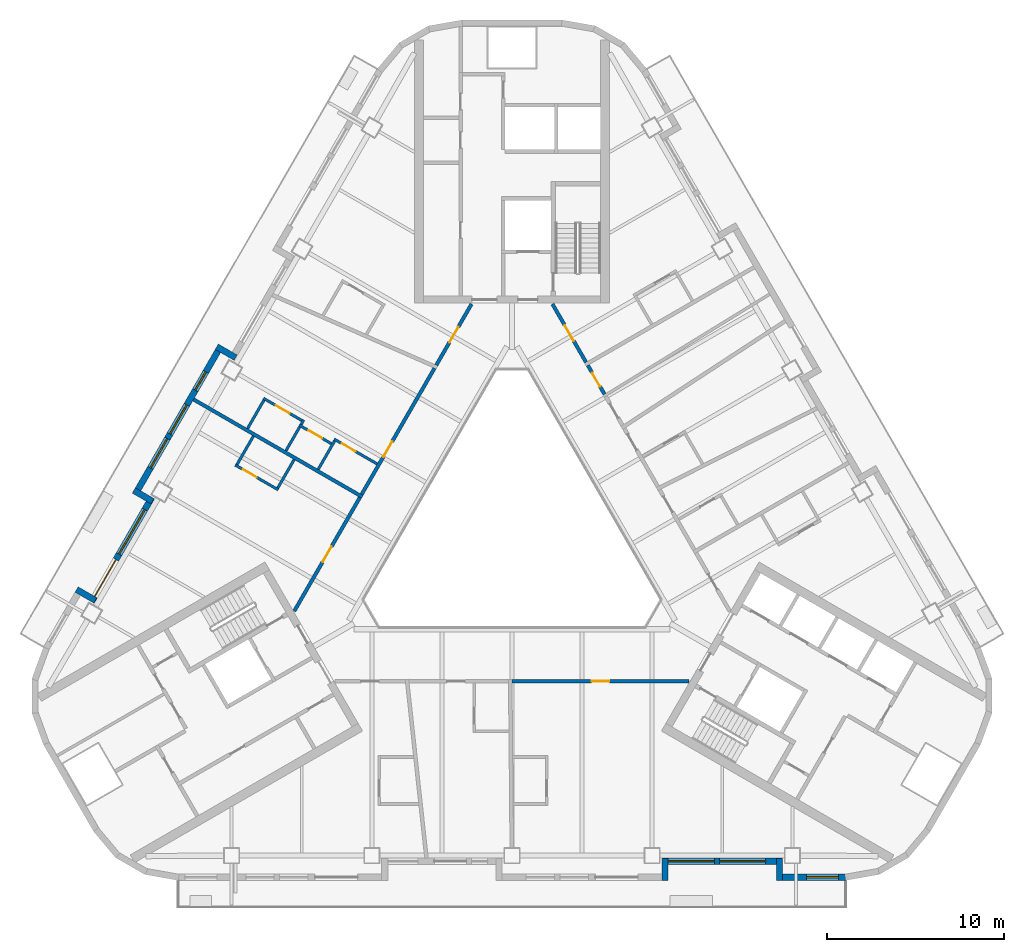
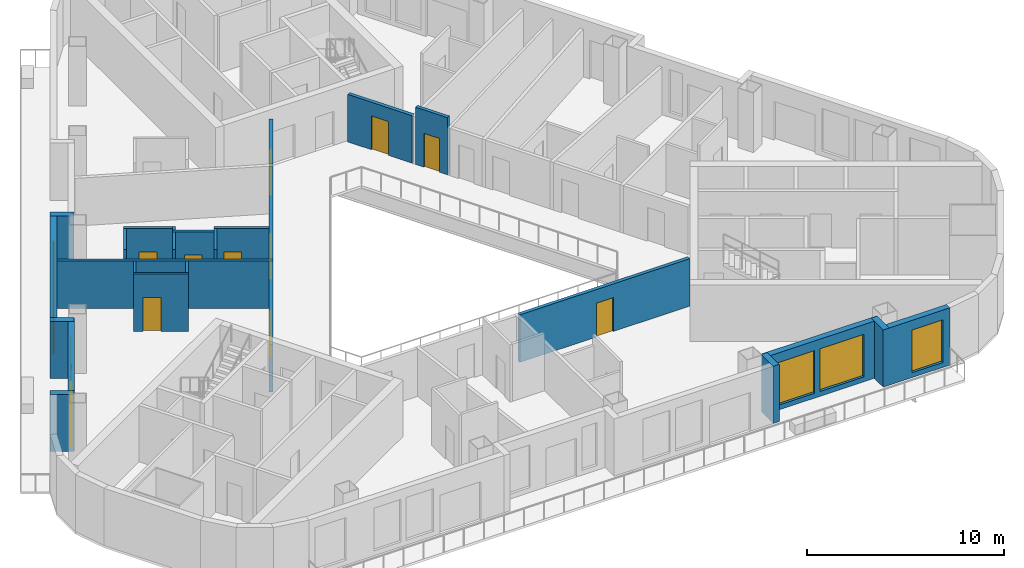
# One storey, part 4 of 14: 26 walls, 11 doors, 7 windows, 18 openings.
"""IFC4 building model written with IfcOpenShell, lengths in metres."""

from ifc_helpers import new_model, si_unit, direction, frame, frame_2d, origin, place, context, subcontext, project, spatial, rectangle, extrude, material, layer, layer_set, type_object, element, fill, save


model = new_model("IFC4")

# Units and contexts
model_context = context("Model", 3, precision=1e-05, world=origin(), true_north=direction((0.0, 1.0)))
body_context = subcontext(model_context, "Body", "Model", "MODEL_VIEW")
ifc_project = project(units=[si_unit("LENGTHUNIT", "METRE"), si_unit("AREAUNIT", "SQUARE_METRE"), si_unit("VOLUMEUNIT", "CUBIC_METRE"), si_unit("PLANEANGLEUNIT", "RADIAN"), si_unit("MASSUNIT", "GRAM", prefix="KILO")], contexts=[model_context])

# Site, building, storey
site_placement = place(None, origin())
site = spatial("IfcSite", under=ifc_project, at=site_placement, CompositionType="ELEMENT")
building_placement = place(site_placement, origin())
building = spatial("IfcBuilding", under=site, at=building_placement, Name="Apuvela Tower Hotel", CompositionType="ELEMENT")
storey_placement = place(building_placement, frame((0.0, 0.0, 116.800048828125)))
storey = spatial("IfcBuildingStorey", under=building, at=storey_placement, Name="L27", CompositionType="ELEMENT", Elevation=116.800048828125)

# Wall
ifc_material_1 = material(Name="Concrete C40/50, dark pigmented precast panel", Category="concrete")
ifc_layer_1 = layer(ifc_material_1, 0.35009765625)
ifc_layer_set_1 = layer_set([ifc_layer_1], Name="ENV-WALL-350")
wall_type_1 = type_object("IfcWallType", Name="ENV-WALL-350", PredefinedType="SOLIDWALL", material=ifc_layer_set_1)
wall_1_placement = place(storey_placement, frame((-15.580810546875, 9.8330078125, 0.0), z_axis=(0.0, 0.0, 1.0), x_axis=(-0.866055662726, 0.499947586314, 0.0)))
element("IfcWall", 1, at=wall_1_placement, inside=storey, type_object=wall_type_1, Name="External wall L27-04", PredefinedType="SOLIDWALL", context=body_context, shape_type="SweptSolid", body=[
    extrude(rectangle(XDim=1.220458984375, YDim=0.35009765625, at=frame_2d((0.6103515625, 0.0))), origin(), (0.0, 0.0, 1.0), 3.550048828125),
])

# Wall, openings, windows
wall_2_placement = place(storey_placement, frame((-16.3984375, 10.507080078125, 0.0), z_axis=(0.0, 0.0, 1.0), x_axis=(-0.499999142773, -0.866025898704, 0.0)))
wall_2 = element("IfcWall", 2, at=wall_2_placement, inside=storey, type_object=wall_type_1, Name="External wall L27-05", PredefinedType="SOLIDWALL", context=body_context, shape_type="SweptSolid", body=[
    extrude(rectangle(XDim=9.7001953125, YDim=0.35009765625, at=frame_2d((4.85009765625, 0.0))), origin(), (0.0, 0.0, 1.0), 3.550048828125),
])
opening_1_placement = place(wall_2_placement, frame((1.7001953125, 0.0, 0.300048828125)))
opening_1 = element("IfcOpeningElement", 3, at=opening_1_placement, cuts=wall_2, Name="Opening WN12", PredefinedType="OPENING", context=body_context, shape_type="SweptSolid", body=[
    extrude(rectangle(XDim=1.199951171875, YDim=2.64990234375, at=frame_2d((0.60009765625, 1.324951171875))), frame((0.0, 0.18505859375, 0.0), z_axis=(0.0, -1.0, 0.0), x_axis=(1.0, 0.0, 0.0)), (0.0, 0.0, 1.0), 0.3701171875),
])
opening_2_placement = place(wall_2_placement, frame((3.849853515625, 0.0, 0.300048828125)))
opening_2 = element("IfcOpeningElement", 4, at=opening_2_placement, cuts=wall_2, Name="Opening WN19", PredefinedType="OPENING", context=body_context, shape_type="SweptSolid", body=[
    extrude(rectangle(XDim=1.89990234375, YDim=2.64990234375, at=frame_2d((0.949951171875, 1.324951171875))), frame((0.0, 0.18505859375, 0.0), z_axis=(0.0, -1.0, 0.0), x_axis=(1.0, 0.0, 0.0)), (0.0, 0.0, 1.0), 0.3701171875),
])
opening_3_placement = place(wall_2_placement, frame((6.0498046875, 0.0, 0.300048828125)))
opening_3 = element("IfcOpeningElement", 5, at=opening_3_placement, cuts=wall_2, Name="Opening WN19", PredefinedType="OPENING", context=body_context, shape_type="SweptSolid", body=[
    extrude(rectangle(XDim=1.89990234375, YDim=2.64990234375, at=frame_2d((0.949951171875, 1.324951171875))), frame((0.0, 0.18505859375, 0.0), z_axis=(0.0, -1.0, 0.0), x_axis=(1.0, 0.0, 0.0)), (0.0, 0.0, 1.0), 0.3701171875),
])
ifc_material_2 = material(Name="Glass, dark tinted laminated insulated glazing unit", Category="glass")
window_type_1 = type_object("IfcWindowType", Name="ENV-WIN-1200x2650", PartitioningType="SINGLE_PANEL", PredefinedType="WINDOW", material=ifc_material_2)
window_1_placement = place(opening_1_placement, origin())
window_1 = element("IfcWindow", 6, at=window_1_placement, inside=storey, type_object=window_type_1, Name="Window WN12", OverallHeight=2.64990234375, OverallWidth=1.199951171875, PartitioningType="SINGLE_PANEL", PredefinedType="WINDOW", context=body_context, shape_type="SweptSolid", body=[
    extrude(rectangle(XDim=1.199951171875, YDim=2.64990234375, at=frame_2d((0.60009765625, 1.324951171875))), frame((0.0, 0.030029296875, 0.0), z_axis=(0.0, -1.0, 0.0), x_axis=(1.0, 0.0, 0.0)), (0.0, 0.0, 1.0), 0.06005859375),
])
fill(opening_1, window_1)
window_type_2 = type_object("IfcWindowType", Name="ENV-WIN-1900x2650", PartitioningType="SINGLE_PANEL", PredefinedType="WINDOW", material=ifc_material_2)
window_2_placement = place(opening_2_placement, origin())
window_2 = element("IfcWindow", 7, at=window_2_placement, inside=storey, type_object=window_type_2, Name="Window WN19", OverallHeight=2.64990234375, OverallWidth=1.89990234375, PartitioningType="SINGLE_PANEL", PredefinedType="WINDOW", context=body_context, shape_type="SweptSolid", body=[
    extrude(rectangle(XDim=1.89990234375, YDim=2.64990234375, at=frame_2d((0.949951171875, 1.324951171875))), frame((0.0, 0.030029296875, 0.0), z_axis=(0.0, -1.0, 0.0), x_axis=(1.0, 0.0, 0.0)), (0.0, 0.0, 1.0), 0.06005859375),
])
fill(opening_2, window_2)
window_3_placement = place(opening_3_placement, origin())
window_3 = element("IfcWindow", 8, at=window_3_placement, inside=storey, type_object=window_type_2, Name="Window WN19", OverallHeight=2.64990234375, OverallWidth=1.89990234375, PartitioningType="SINGLE_PANEL", PredefinedType="WINDOW", context=body_context, shape_type="SweptSolid", body=[
    extrude(rectangle(XDim=1.89990234375, YDim=2.64990234375, at=frame_2d((0.949951171875, 1.324951171875))), frame((0.0, 0.030029296875, 0.0), z_axis=(0.0, -1.0, 0.0), x_axis=(1.0, 0.0, 0.0)), (0.0, 0.0, 1.0), 0.06005859375),
])
fill(opening_3, window_3)

# Wall
wall_3_placement = place(storey_placement, frame((-21.3125, 2.345703125, 0.0), z_axis=(0.0, 0.0, 1.0), x_axis=(0.866005645448, -0.500034220881, 0.0)))
element("IfcWall", 9, at=wall_3_placement, inside=storey, type_object=wall_type_1, Name="External wall L27-06", PredefinedType="SOLIDWALL", context=body_context, shape_type="SweptSolid", body=[
    extrude(rectangle(XDim=1.22021484375, YDim=0.35009765625, at=frame_2d((0.610107421875, 0.0))), origin(), (0.0, 0.0, 1.0), 3.550048828125),
])

# Wall, openings, door, window
wall_4_placement = place(storey_placement, frame((-20.30908203125, 1.93359375, 0.0), z_axis=(0.0, 0.0, 1.0), x_axis=(-0.499992114976, -0.866029956157, 0.0)))
wall_4 = element("IfcWall", 10, at=wall_4_placement, inside=storey, type_object=wall_type_1, Name="External wall L27-07", PredefinedType="SOLIDWALL", context=body_context, shape_type="SweptSolid", body=[
    extrude(rectangle(XDim=6.73974609375, YDim=0.35009765625, at=frame_2d((3.369873046875, 0.0))), origin(), (0.0, 0.0, 1.0), 3.550048828125),
])
opening_4_placement = place(wall_4_placement, frame((4.02001953125, 0.0, 0.0)))
opening_4 = element("IfcOpeningElement", 11, at=opening_4_placement, cuts=wall_4, Name="Opening BD24", PredefinedType="OPENING", context=body_context, shape_type="SweptSolid", body=[
    extrude(rectangle(XDim=2.39990234375, YDim=2.39990234375, at=frame_2d((1.199951171875, 1.199951171875))), frame((0.0, 0.18505859375, 0.0), z_axis=(0.0, -1.0, 0.0), x_axis=(1.0, 0.0, 0.0)), (0.0, 0.0, 1.0), 0.3701171875),
])
opening_5_placement = place(wall_4_placement, frame((0.77001953125, 0.0, 0.300048828125)))
opening_5 = element("IfcOpeningElement", 12, at=opening_5_placement, cuts=wall_4, Name="Opening WN29", PredefinedType="OPENING", context=body_context, shape_type="SweptSolid", body=[
    extrude(rectangle(XDim=2.89990234375, YDim=2.64990234375, at=frame_2d((1.449951171875, 1.324951171875))), frame((0.0, 0.18505859375, 0.0), z_axis=(0.0, -1.0, 0.0), x_axis=(1.0, 0.0, 0.0)), (0.0, 0.0, 1.0), 0.3701171875),
])
ifc_material_3 = material(Name="Aluminium 6063-T6, dark bronze anodised frame with dark tinted laminated glass", Category="aluminium")
door_type_1 = type_object("IfcDoorType", Name="ENV-DOOR-BALCONY-2400x2400", OperationType="SLIDING_TO_LEFT", PredefinedType="DOOR", material=ifc_material_3)
door_1_placement = place(opening_4_placement, frame((2.39990234375, 0.0, 0.0), z_axis=(0.0, 0.0, 1.0), x_axis=(-1.0, 0.0, 0.0)))
door_1 = element("IfcDoor", 13, at=door_1_placement, inside=storey, type_object=door_type_1, Name="Balcony door BD24", OperationType="SLIDING_TO_LEFT", OverallHeight=2.39990234375, OverallWidth=2.39990234375, PredefinedType="DOOR", context=body_context, shape_type="SweptSolid", body=[
    extrude(rectangle(XDim=2.39990234375, YDim=2.39990234375, at=frame_2d((1.199951171875, 1.199951171875))), frame((0.0, 0.02490234375, 0.0), z_axis=(0.0, -1.0, 0.0), x_axis=(1.0, 0.0, 0.0)), (0.0, 0.0, 1.0), 0.050048828125),
])
fill(opening_4, door_1)
window_type_3 = type_object("IfcWindowType", Name="ENV-WIN-2900x2650", PartitioningType="SINGLE_PANEL", PredefinedType="WINDOW", material=ifc_material_2)
window_4_placement = place(opening_5_placement, origin())
window_4 = element("IfcWindow", 14, at=window_4_placement, inside=storey, type_object=window_type_3, Name="Window WN29", OverallHeight=2.64990234375, OverallWidth=2.89990234375, PartitioningType="SINGLE_PANEL", PredefinedType="WINDOW", context=body_context, shape_type="SweptSolid", body=[
    extrude(rectangle(XDim=2.89990234375, YDim=2.64990234375, at=frame_2d((1.449951171875, 1.324951171875))), frame((0.0, 0.030029296875, 0.0), z_axis=(0.0, -1.0, 0.0), x_axis=(1.0, 0.0, 0.0)), (0.0, 0.0, 1.0), 0.06005859375),
])
fill(opening_5, window_4)

# Walls
for number, where, z_axis, x_axis, name in (
    (15, (-23.48095703125, -3.85009765625, 0.0), (0.0, 0.0, 1.0), (-0.866092288191, 0.499884134912, 0.0), "External wall L27-08"),
    (16, (8.625, -19.6298828125, 0.0), (0.0, 0.0, 1.0), (0.0, 1.0, 0.0), "External wall L27-22"),
):
    element("IfcWall", number, at=place(storey_placement, frame(where, z_axis=z_axis, x_axis=x_axis)), inside=storey, type_object=wall_type_1, Name=name, PredefinedType="SOLIDWALL", context=body_context, shape_type="SweptSolid", body=[
        extrude(rectangle(XDim=1.219970703125, YDim=0.35009765625, at=frame_2d((0.60986328125, 0.0))), origin(), (0.0, 0.0, 1.0), 3.550048828125),
    ])

# Wall, openings, windows
wall_5_placement = place(storey_placement, frame((8.47998046875, -18.554931640625, 0.0), z_axis=(0.0, 0.0, 1.0), x_axis=(1.0, 0.0, 0.0)))
wall_5 = element("IfcWall", 17, at=wall_5_placement, inside=storey, type_object=wall_type_1, Name="External wall L27-23", PredefinedType="SOLIDWALL", context=body_context, shape_type="SweptSolid", body=[
    extrude(rectangle(XDim=6.739990234375, YDim=0.35009765625, at=frame_2d((3.3701171875, 0.0))), origin(), (0.0, 0.0, 1.0), 3.550048828125),
])
opening_6_placement = place(wall_5_placement, frame((0.3203125, 0.0, 0.300048828125)))
opening_6 = element("IfcOpeningElement", 18, at=opening_6_placement, cuts=wall_5, Name="Opening WN26", PredefinedType="OPENING", context=body_context, shape_type="SweptSolid", body=[
    extrude(rectangle(XDim=2.60009765625, YDim=2.64990234375, at=frame_2d((1.300048828125, 1.324951171875))), frame((0.0, 0.18505859375, 0.0), z_axis=(0.0, -1.0, 0.0), x_axis=(1.0, 0.0, 0.0)), (0.0, 0.0, 1.0), 0.3701171875),
])
opening_7_placement = place(wall_5_placement, frame((3.22021484375, 0.0, 0.300048828125)))
opening_7 = element("IfcOpeningElement", 19, at=opening_7_placement, cuts=wall_5, Name="Opening WN26", PredefinedType="OPENING", context=body_context, shape_type="SweptSolid", body=[
    extrude(rectangle(XDim=2.60009765625, YDim=2.64990234375, at=frame_2d((1.300048828125, 1.324951171875))), frame((0.0, 0.18505859375, 0.0), z_axis=(0.0, -1.0, 0.0), x_axis=(1.0, 0.0, 0.0)), (0.0, 0.0, 1.0), 0.3701171875),
])
window_type_4 = type_object("IfcWindowType", Name="ENV-WIN-2600x2650", PartitioningType="SINGLE_PANEL", PredefinedType="WINDOW", material=ifc_material_2)
window_5_placement = place(opening_6_placement, origin())
window_5 = element("IfcWindow", 20, at=window_5_placement, inside=storey, type_object=window_type_4, Name="Window WN26", OverallHeight=2.64990234375, OverallWidth=2.60009765625, PartitioningType="SINGLE_PANEL", PredefinedType="WINDOW", context=body_context, shape_type="SweptSolid", body=[
    extrude(rectangle(XDim=2.60009765625, YDim=2.64990234375, at=frame_2d((1.300048828125, 1.324951171875))), frame((0.0, 0.030029296875, 0.0), z_axis=(0.0, -1.0, 0.0), x_axis=(1.0, 0.0, 0.0)), (0.0, 0.0, 1.0), 0.06005859375),
])
fill(opening_6, window_5)
window_6_placement = place(opening_7_placement, origin())
window_6 = element("IfcWindow", 21, at=window_6_placement, inside=storey, type_object=window_type_4, Name="Window WN26", OverallHeight=2.64990234375, OverallWidth=2.60009765625, PartitioningType="SINGLE_PANEL", PredefinedType="WINDOW", context=body_context, shape_type="SweptSolid", body=[
    extrude(rectangle(XDim=2.60009765625, YDim=2.64990234375, at=frame_2d((1.300048828125, 1.324951171875))), frame((0.0, 0.030029296875, 0.0), z_axis=(0.0, -1.0, 0.0), x_axis=(1.0, 0.0, 0.0)), (0.0, 0.0, 1.0), 0.06005859375),
])
fill(opening_7, window_6)

# Wall
wall_6_placement = place(storey_placement, frame((15.074951171875, -18.409912109375, 0.0), z_axis=(0.0, 0.0, 1.0), x_axis=(0.0, -1.0, 0.0)))
element("IfcWall", 22, at=wall_6_placement, inside=storey, type_object=wall_type_1, Name="External wall L27-24", PredefinedType="SOLIDWALL", context=body_context, shape_type="SweptSolid", body=[
    extrude(rectangle(XDim=1.219970703125, YDim=0.35009765625, at=frame_2d((0.60986328125, 0.0))), origin(), (0.0, 0.0, 1.0), 3.550048828125),
])

# Wall, opening, window
wall_7_placement = place(storey_placement, frame((14.89990234375, -19.455078125, 0.0), z_axis=(0.0, 0.0, 1.0), x_axis=(1.0, 0.0, 0.0)))
wall_7 = element("IfcWall", 23, at=wall_7_placement, inside=storey, type_object=wall_type_1, Name="External wall L27-25", PredefinedType="SOLIDWALL", context=body_context, shape_type="SweptSolid", body=[
    extrude(rectangle(XDim=3.916015625, YDim=0.35009765625, at=frame_2d((1.9580078125, 0.0))), origin(), (0.0, 0.0, 1.0), 3.550048828125),
])
opening_8_placement = place(wall_7_placement, frame((1.699951171875, 0.0, 0.300048828125)))
opening_8 = element("IfcOpeningElement", 24, at=opening_8_placement, cuts=wall_7, Name="Opening WN18", PredefinedType="OPENING", context=body_context, shape_type="SweptSolid", body=[
    extrude(rectangle(XDim=1.800048828125, YDim=2.64990234375, at=frame_2d((0.89990234375, 1.324951171875))), frame((0.0, 0.18505859375, 0.0), z_axis=(0.0, -1.0, 0.0), x_axis=(1.0, 0.0, 0.0)), (0.0, 0.0, 1.0), 0.3701171875),
])
window_type_5 = type_object("IfcWindowType", Name="ENV-WIN-1800x2650", PartitioningType="SINGLE_PANEL", PredefinedType="WINDOW", material=ifc_material_2)
window_7_placement = place(opening_8_placement, origin())
window_7 = element("IfcWindow", 25, at=window_7_placement, inside=storey, type_object=window_type_5, Name="Window WN18", OverallHeight=2.64990234375, OverallWidth=1.800048828125, PartitioningType="SINGLE_PANEL", PredefinedType="WINDOW", context=body_context, shape_type="SweptSolid", body=[
    extrude(rectangle(XDim=1.800048828125, YDim=2.64990234375, at=frame_2d((0.89990234375, 1.324951171875))), frame((0.0, 0.030029296875, 0.0), z_axis=(0.0, -1.0, 0.0), x_axis=(1.0, 0.0, 0.0)), (0.0, 0.0, 1.0), 0.06005859375),
])
fill(opening_8, window_7)

# Wall
ifc_material_4 = material(Name="Gypsum board partition on twin steel stud", Category="steel")
ifc_layer_2 = layer(ifc_material_4, 0.199951171875)
ifc_layer_set_2 = layer_set([ifc_layer_2], Name="GST-PW1")
wall_type_2 = type_object("IfcWallType", Name="GST-PW1", PredefinedType="PARTITIONING", material=ifc_layer_set_2)
wall_8_placement = place(storey_placement, frame((-17.947021484375, 7.474853515625, 0.0), z_axis=(0.0, 0.0, 1.0), x_axis=(0.866027479907, -0.499996404033, 0.0)))
element("IfcWall", 26, at=wall_8_placement, inside=storey, type_object=wall_type_2, Name="L27 partition 08", PredefinedType="PARTITIONING", context=body_context, shape_type="SweptSolid", body=[
    extrude(rectangle(XDim=10.97998046875, YDim=0.199951171875, at=frame_2d((5.489990234375, 0.0))), origin(), (0.0, 0.0, 1.0), 2.9599609375),
])

# Wall, opening, door
ifc_material_5 = material(Name="Gypsum board corridor wall on twin steel stud, acoustic", Category="steel")
ifc_layer_3 = layer(ifc_material_5, 0.199951171875)
ifc_layer_set_3 = layer_set([ifc_layer_3], Name="GST-PW2")
wall_type_3 = type_object("IfcWallType", Name="GST-PW2", PredefinedType="PARTITIONING", material=ifc_layer_set_3)
wall_9_placement = place(storey_placement, frame((9.98828125, -8.39990234375, 0.0), z_axis=(0.0, 0.0, 1.0), x_axis=(-1.0, 0.0, 0.0)))
wall_9 = element("IfcWall", 27, at=wall_9_placement, inside=storey, type_object=wall_type_3, Name="L27 partition 16", PredefinedType="PARTITIONING", context=body_context, shape_type="SweptSolid", body=[
    extrude(rectangle(XDim=9.9892578125, YDim=0.199951171875, at=frame_2d((4.99462890625, 0.0))), origin(), (0.0, 0.0, 1.0), 2.949951171875),
])
opening_9_placement = place(wall_9_placement, frame((4.49462890625, 0.0, 0.0)))
opening_9 = element("IfcOpeningElement", 28, at=opening_9_placement, cuts=wall_9, Name="Opening GD10-06", PredefinedType="OPENING", context=body_context, shape_type="SweptSolid", body=[
    extrude(rectangle(XDim=1.0, YDim=2.10009765625, at=frame_2d((0.5, 1.050048828125))), frame((0.0, 0.10986328125, 0.0), z_axis=(0.0, -1.0, 0.0), x_axis=(1.0, 0.0, 0.0)), (0.0, 0.0, 1.0), 0.219970703125),
])
ifc_material_6 = material(Name="Timber door leaf in steel frame", Category="steel")
door_type_2 = type_object("IfcDoorType", Name="GST-D1", OperationType="NOTDEFINED", PredefinedType="DOOR", material=ifc_material_6)
door_2_placement = place(opening_9_placement, origin())
door_2 = element("IfcDoor", 29, at=door_2_placement, inside=storey, type_object=door_type_2, Name="Door L27-06", OperationType="SINGLE_SWING_RIGHT", OverallHeight=2.10009765625, OverallWidth=1.0, PredefinedType="DOOR", context=body_context, shape_type="SweptSolid", body=[
    extrude(rectangle(XDim=1.0, YDim=2.10009765625, at=frame_2d((0.5, 1.050048828125))), frame((0.0, 0.02490234375, 0.0), z_axis=(0.0, -1.0, 0.0), x_axis=(1.0, 0.0, 0.0)), (0.0, 0.0, 1.0), 0.050048828125),
])
fill(opening_9, door_2)

wall_10_placement = place(storey_placement, frame((4.274658203125, 9.396240234375, 0.0), z_axis=(0.0, 0.0, 1.0), x_axis=(0.499928798138, -0.866066508296, 0.0)))
wall_10 = element("IfcWall", 30, at=wall_10_placement, inside=storey, type_object=wall_type_3, Name="L27 partition 32", PredefinedType="PARTITIONING", context=body_context, shape_type="SweptSolid", body=[
    extrude(rectangle(XDim=1.877685546875, YDim=0.199951171875, at=frame_2d((0.93896484375, 0.0))), origin(), (0.0, 0.0, 1.0), 3.550048828125),
])
opening_10_placement = place(wall_10_placement, frame((0.489013671875, 0.0, 0.0)))
opening_10 = element("IfcOpeningElement", 31, at=opening_10_placement, cuts=wall_10, Name="Opening GD10-14", PredefinedType="OPENING", context=body_context, shape_type="SweptSolid", body=[
    extrude(rectangle(XDim=0.89990234375, YDim=2.10009765625, at=frame_2d((0.449951171875, 1.050048828125))), frame((0.0, 0.10986328125, 0.0), z_axis=(0.0, -1.0, 0.0), x_axis=(1.0, 0.0, 0.0)), (0.0, 0.0, 1.0), 0.219970703125),
])
door_type_3 = type_object("IfcDoorType", Name="GST-D2", OperationType="NOTDEFINED", PredefinedType="DOOR", material=ifc_material_6)
door_3_placement = place(opening_10_placement, origin())
door_3 = element("IfcDoor", 32, at=door_3_placement, inside=storey, type_object=door_type_3, Name="Door L27-14", OperationType="SINGLE_SWING_RIGHT", OverallHeight=2.10009765625, OverallWidth=0.89990234375, PredefinedType="DOOR", context=body_context, shape_type="SweptSolid", body=[
    extrude(rectangle(XDim=0.89990234375, YDim=2.10009765625, at=frame_2d((0.449951171875, 1.050048828125))), frame((0.0, 0.02490234375, 0.0), z_axis=(0.0, -1.0, 0.0), x_axis=(1.0, 0.0, 0.0)), (0.0, 0.0, 1.0), 0.050048828125),
])
fill(opening_10, door_3)

wall_11_placement = place(storey_placement, frame((2.280517578125, 12.85009765625, 0.0), z_axis=(0.0, 0.0, 1.0), x_axis=(0.499979074716, -0.866037484666, 0.0)))
wall_11 = element("IfcWall", 33, at=wall_11_placement, inside=storey, type_object=wall_type_3, Name="L27 partition 33", PredefinedType="PARTITIONING", context=body_context, shape_type="SweptSolid", body=[
    extrude(rectangle(XDim=3.788330078125, YDim=0.199951171875, at=frame_2d((1.89404296875, 0.0))), origin(), (0.0, 0.0, 1.0), 2.949951171875),
])
opening_11_placement = place(wall_11_placement, frame((1.39404296875, 0.0, 0.0)))
opening_11 = element("IfcOpeningElement", 34, at=opening_11_placement, cuts=wall_11, Name="Opening GD10-16", PredefinedType="OPENING", context=body_context, shape_type="SweptSolid", body=[
    extrude(rectangle(XDim=1.0, YDim=2.10009765625, at=frame_2d((0.5, 1.050048828125))), frame((0.0, 0.10986328125, 0.0), z_axis=(0.0, -1.0, 0.0), x_axis=(1.0, 0.0, 0.0)), (0.0, 0.0, 1.0), 0.219970703125),
])
door_4_placement = place(opening_11_placement, origin())
door_4 = element("IfcDoor", 35, at=door_4_placement, inside=storey, type_object=door_type_2, Name="Door L27-16", OperationType="SINGLE_SWING_RIGHT", OverallHeight=2.10009765625, OverallWidth=1.0, PredefinedType="DOOR", context=body_context, shape_type="SweptSolid", body=[
    extrude(rectangle(XDim=1.0, YDim=2.10009765625, at=frame_2d((0.5, 1.050048828125))), frame((0.0, 0.02490234375, 0.0), z_axis=(0.0, -1.0, 0.0), x_axis=(1.0, 0.0, 0.0)), (0.0, 0.0, 1.0), 0.050048828125),
])
fill(opening_11, door_4)

wall_12_placement = place(storey_placement, frame((-4.268798828125, 9.406005859375, 0.0), z_axis=(0.0, 0.0, 1.0), x_axis=(0.499968678846, 0.866043486306, 0.0)))
wall_12 = element("IfcWall", 36, at=wall_12_placement, inside=storey, type_object=wall_type_3, Name="L27 partition 37", PredefinedType="PARTITIONING", context=body_context, shape_type="SweptSolid", body=[
    extrude(rectangle(XDim=3.976806640625, YDim=0.199951171875, at=frame_2d((1.98828125, 0.0))), origin(), (0.0, 0.0, 1.0), 2.949951171875),
])
opening_12_placement = place(wall_12_placement, frame((1.48828125, 0.0, 0.0)))
opening_12 = element("IfcOpeningElement", 37, at=opening_12_placement, cuts=wall_12, Name="Opening GD10-18", PredefinedType="OPENING", context=body_context, shape_type="SweptSolid", body=[
    extrude(rectangle(XDim=1.0, YDim=2.10009765625, at=frame_2d((0.5, 1.050048828125))), frame((0.0, 0.10986328125, 0.0), z_axis=(0.0, -1.0, 0.0), x_axis=(1.0, 0.0, 0.0)), (0.0, 0.0, 1.0), 0.219970703125),
])
door_5_placement = place(opening_12_placement, origin())
door_5 = element("IfcDoor", 38, at=door_5_placement, inside=storey, type_object=door_type_2, Name="Door L27-18", OperationType="SINGLE_SWING_LEFT", OverallHeight=2.10009765625, OverallWidth=1.0, PredefinedType="DOOR", context=body_context, shape_type="SweptSolid", body=[
    extrude(rectangle(XDim=1.0, YDim=2.10009765625, at=frame_2d((0.5, 1.050048828125))), frame((0.0, 0.02490234375, 0.0), z_axis=(0.0, -1.0, 0.0), x_axis=(1.0, 0.0, 0.0)), (0.0, 0.0, 1.0), 0.050048828125),
])
fill(opening_12, door_5)

wall_13_placement = place(storey_placement, frame((-8.474609375, 2.12158203125, 0.0), z_axis=(0.0, 0.0, 1.0), x_axis=(0.500005592383, 0.866022174996, 0.0)))
wall_13 = element("IfcWall", 39, at=wall_13_placement, inside=storey, type_object=wall_type_3, Name="L27 partition 41", PredefinedType="PARTITIONING", context=body_context, shape_type="SweptSolid", body=[
    extrude(rectangle(XDim=8.21044921875, YDim=0.199951171875, at=frame_2d((4.105224609375, 0.0))), origin(), (0.0, 0.0, 1.0), 2.949951171875),
])
opening_13_placement = place(wall_13_placement, frame((2.449951171875, 0.0, 0.0)))
opening_13 = element("IfcOpeningElement", 40, at=opening_13_placement, cuts=wall_13, Name="Opening GD10-22", PredefinedType="OPENING", context=body_context, shape_type="SweptSolid", body=[
    extrude(rectangle(XDim=1.0, YDim=2.10009765625, at=frame_2d((0.5, 1.050048828125))), frame((0.0, 0.10986328125, 0.0), z_axis=(0.0, -1.0, 0.0), x_axis=(1.0, 0.0, 0.0)), (0.0, 0.0, 1.0), 0.219970703125),
])
door_6_placement = place(opening_13_placement, origin())
door_6 = element("IfcDoor", 41, at=door_6_placement, inside=storey, type_object=door_type_2, Name="Door L27-22", OperationType="SINGLE_SWING_RIGHT", OverallHeight=2.10009765625, OverallWidth=1.0, PredefinedType="DOOR", context=body_context, shape_type="SweptSolid", body=[
    extrude(rectangle(XDim=1.0, YDim=2.10009765625, at=frame_2d((0.5, 1.050048828125))), frame((0.0, 0.02490234375, 0.0), z_axis=(0.0, -1.0, 0.0), x_axis=(1.0, 0.0, 0.0)), (0.0, 0.0, 1.0), 0.050048828125),
])
fill(opening_13, door_6)

wall_14_placement = place(storey_placement, frame((-12.268798828125, -4.449951171875, 0.0), z_axis=(0.0, 0.0, 1.0), x_axis=(0.500009454961, 0.866019944892, 0.0)))
wall_14 = element("IfcWall", 42, at=wall_14_placement, inside=storey, type_object=wall_type_3, Name="L27 partition 49", PredefinedType="PARTITIONING", context=body_context, shape_type="SweptSolid", body=[
    extrude(rectangle(XDim=7.387939453125, YDim=0.199951171875, at=frame_2d((3.69384765625, 0.0))), origin(), (0.0, 0.0, 1.0), 2.949951171875),
])
opening_14_placement = place(wall_14_placement, frame((3.194091796875, 0.0, 0.0)))
opening_14 = element("IfcOpeningElement", 43, at=opening_14_placement, cuts=wall_14, Name="Opening GD10-24", PredefinedType="OPENING", context=body_context, shape_type="SweptSolid", body=[
    extrude(rectangle(XDim=1.0, YDim=2.10009765625, at=frame_2d((0.5, 1.050048828125))), frame((0.0, 0.10986328125, 0.0), z_axis=(0.0, -1.0, 0.0), x_axis=(1.0, 0.0, 0.0)), (0.0, 0.0, 1.0), 0.219970703125),
])
door_7_placement = place(opening_14_placement, origin())
door_7 = element("IfcDoor", 44, at=door_7_placement, inside=storey, type_object=door_type_2, Name="Door L27-24", OperationType="SINGLE_SWING_RIGHT", OverallHeight=2.10009765625, OverallWidth=1.0, PredefinedType="DOOR", context=body_context, shape_type="SweptSolid", body=[
    extrude(rectangle(XDim=1.0, YDim=2.10009765625, at=frame_2d((0.5, 1.050048828125))), frame((0.0, 0.02490234375, 0.0), z_axis=(0.0, -1.0, 0.0), x_axis=(1.0, 0.0, 0.0)), (0.0, 0.0, 1.0), 0.050048828125),
])
fill(opening_14, door_7)

ifc_material_7 = material(Name="Moisture-resistant gypsum board wet wall on steel stud", Category="steel")
ifc_layer_4 = layer(ifc_material_7, 0.14990234375)
ifc_layer_set_4 = layer_set([ifc_layer_4], Name="GST-PW3")
wall_type_4 = type_object("IfcWallType", Name="GST-PW3", PredefinedType="PARTITIONING", material=ifc_layer_set_4)
wall_15_placement = place(storey_placement, frame((-7.5986328125, 3.838623046875, 0.0), z_axis=(0.0, 0.0, 1.0), x_axis=(-0.866056369097, 0.49994636267, 0.0)))
wall_15 = element("IfcWall", 45, at=wall_15_placement, inside=storey, type_object=wall_type_4, Name="L27 partition 42", PredefinedType="PARTITIONING", context=body_context, shape_type="SweptSolid", body=[
    extrude(rectangle(XDim=2.800048828125, YDim=0.14990234375, at=frame_2d((1.39990234375, 0.0))), origin(), (0.0, 0.0, 1.0), 3.550048828125),
])
opening_15_placement = place(wall_15_placement, frame((1.39990234375, 0.0, 0.0)))
opening_15 = element("IfcOpeningElement", 46, at=opening_15_placement, cuts=wall_15, Name="Opening GD10-19", PredefinedType="OPENING", context=body_context, shape_type="SweptSolid", body=[
    extrude(rectangle(XDim=0.89990234375, YDim=2.10009765625, at=frame_2d((0.449951171875, 1.050048828125))), frame((0.0, 0.0849609375, 0.0), z_axis=(0.0, -1.0, 0.0), x_axis=(1.0, 0.0, 0.0)), (0.0, 0.0, 1.0), 0.169921875),
])
door_8_placement = place(opening_15_placement, origin())
door_8 = element("IfcDoor", 47, at=door_8_placement, inside=storey, type_object=door_type_3, Name="Door L27-19", OperationType="SINGLE_SWING_RIGHT", OverallHeight=2.10009765625, OverallWidth=0.89990234375, PredefinedType="DOOR", context=body_context, shape_type="SweptSolid", body=[
    extrude(rectangle(XDim=0.89990234375, YDim=2.10009765625, at=frame_2d((0.449951171875, 1.050048828125))), frame((0.0, 0.02490234375, 0.0), z_axis=(0.0, -1.0, 0.0), x_axis=(1.0, 0.0, 0.0)), (0.0, 0.0, 1.0), 0.050048828125),
])
fill(opening_15, door_8)

# Wall
wall_16_placement = place(storey_placement, frame((-9.99609375, 5.13623046875, 0.0), z_axis=(0.0, 0.0, 1.0), x_axis=(-0.499985172903, -0.866033964044, 0.0)))
element("IfcWall", 48, at=wall_16_placement, inside=storey, type_object=wall_type_4, Name="L27 partition 43", PredefinedType="PARTITIONING", context=body_context, shape_type="SweptSolid", body=[
    extrude(rectangle(XDim=1.85009765625, YDim=0.14990234375, at=frame_2d((0.925048828125, 0.0))), origin(), (0.0, 0.0, 1.0), 3.550048828125),
])

# Wall, opening, door
wall_17_placement = place(storey_placement, frame((-10.173583984375, 4.978759765625, 0.0), z_axis=(0.0, 0.0, 1.0), x_axis=(-0.866009402589, 0.500027713859, 0.0)))
wall_17 = element("IfcWall", 49, at=wall_17_placement, inside=storey, type_object=wall_type_4, Name="L27 partition 44", PredefinedType="PARTITIONING", context=body_context, shape_type="SweptSolid", body=[
    extrude(rectangle(XDim=2.10009765625, YDim=0.14990234375, at=frame_2d((1.050048828125, 0.0))), origin(), (0.0, 0.0, 1.0), 3.550048828125),
])
opening_16_placement = place(wall_17_placement, frame((0.60009765625, 0.0, 0.0)))
opening_16 = element("IfcOpeningElement", 50, at=opening_16_placement, cuts=wall_17, Name="Opening GD10-20", PredefinedType="OPENING", context=body_context, shape_type="SweptSolid", body=[
    extrude(rectangle(XDim=0.89990234375, YDim=2.10009765625, at=frame_2d((0.449951171875, 1.050048828125))), frame((0.0, 0.0849609375, 0.0), z_axis=(0.0, -1.0, 0.0), x_axis=(1.0, 0.0, 0.0)), (0.0, 0.0, 1.0), 0.169921875),
])
door_9_placement = place(opening_16_placement, origin())
door_9 = element("IfcDoor", 51, at=door_9_placement, inside=storey, type_object=door_type_3, Name="Door L27-20", OperationType="SINGLE_SWING_RIGHT", OverallHeight=2.10009765625, OverallWidth=0.89990234375, PredefinedType="DOOR", context=body_context, shape_type="SweptSolid", body=[
    extrude(rectangle(XDim=0.89990234375, YDim=2.10009765625, at=frame_2d((0.449951171875, 1.050048828125))), frame((0.0, 0.02490234375, 0.0), z_axis=(0.0, -1.0, 0.0), x_axis=(1.0, 0.0, 0.0)), (0.0, 0.0, 1.0), 0.050048828125),
])
fill(opening_16, door_9)

# Wall
wall_18_placement = place(storey_placement, frame((-11.96484375, 5.926513671875, 0.0), z_axis=(0.0, 0.0, 1.0), x_axis=(-0.499899694197, -0.866083307622, 0.0)))
element("IfcWall", 52, at=wall_18_placement, inside=storey, type_object=wall_type_4, Name="L27 partition 45", PredefinedType="PARTITIONING", context=body_context, shape_type="SweptSolid", body=[
    extrude(rectangle(XDim=1.550048828125, YDim=0.14990234375, at=frame_2d((0.77490234375, 0.0))), origin(), (0.0, 0.0, 1.0), 3.550048828125),
])

# Wall, opening, door
wall_19_placement = place(storey_placement, frame((-11.84228515625, 6.28857421875, 0.0), z_axis=(0.0, 0.0, 1.0), x_axis=(-0.866022959057, 0.500004234368, 0.0)))
wall_19 = element("IfcWall", 53, at=wall_19_placement, inside=storey, type_object=wall_type_4, Name="L27 partition 46", PredefinedType="PARTITIONING", context=body_context, shape_type="SweptSolid", body=[
    extrude(rectangle(XDim=2.5, YDim=0.14990234375, at=frame_2d((1.25, 0.0))), origin(), (0.0, 0.0, 1.0), 3.550048828125),
])
opening_17_placement = place(wall_19_placement, frame((0.800048828125, 0.0, 0.0)))
opening_17 = element("IfcOpeningElement", 54, at=opening_17_placement, cuts=wall_19, Name="Opening GD10-21", PredefinedType="OPENING", context=body_context, shape_type="SweptSolid", body=[
    extrude(rectangle(XDim=0.89990234375, YDim=2.10009765625, at=frame_2d((0.449951171875, 1.050048828125))), frame((0.0, 0.0849609375, 0.0), z_axis=(0.0, -1.0, 0.0), x_axis=(1.0, 0.0, 0.0)), (0.0, 0.0, 1.0), 0.169921875),
])
door_10_placement = place(opening_17_placement, origin())
door_10 = element("IfcDoor", 55, at=door_10_placement, inside=storey, type_object=door_type_3, Name="Door L27-21", OperationType="SINGLE_SWING_RIGHT", OverallHeight=2.10009765625, OverallWidth=0.89990234375, PredefinedType="DOOR", context=body_context, shape_type="SweptSolid", body=[
    extrude(rectangle(XDim=0.89990234375, YDim=2.10009765625, at=frame_2d((0.449951171875, 1.050048828125))), frame((0.0, 0.02490234375, 0.0), z_axis=(0.0, -1.0, 0.0), x_axis=(1.0, 0.0, 0.0)), (0.0, 0.0, 1.0), 0.050048828125),
])
fill(opening_17, door_10)

# Walls
wall_20_placement = place(storey_placement, frame((-13.97998046875, 7.436279296875, 0.0), z_axis=(0.0, 0.0, 1.0), x_axis=(-0.499886193382, -0.866091100096, 0.0)))
element("IfcWall", 56, at=wall_20_placement, inside=storey, type_object=wall_type_4, Name="L27 partition 47", PredefinedType="PARTITIONING", context=body_context, shape_type="SweptSolid", body=[
    extrude(rectangle(XDim=1.85009765625, YDim=0.14990234375, at=frame_2d((0.925048828125, 0.0))), origin(), (0.0, 0.0, 1.0), 3.550048828125),
])
wall_21_placement = place(storey_placement, frame((-11.73974609375, 6.316162109375, 0.0), z_axis=(0.0, 0.0, 1.0), x_axis=(-0.500426713919, -0.865778900179, 0.0)))
element("IfcWall", 57, at=wall_21_placement, inside=storey, type_object=wall_type_4, Name="L27 partition 48", PredefinedType="PARTITIONING", context=body_context, shape_type="SweptSolid", body=[
    extrude(rectangle(XDim=0.300048828125, YDim=0.14990234375, at=frame_2d((0.14990234375, 0.0))), origin(), (0.0, 0.0, 1.0), 3.550048828125),
])

# Wall, opening, door
wall_22_placement = place(storey_placement, frame((-15.599365234375, 3.78125, 0.0), z_axis=(0.0, 0.0, 1.0), x_axis=(0.866018616679, -0.500011755427, 0.0)))
wall_22 = element("IfcWall", 58, at=wall_22_placement, inside=storey, type_object=wall_type_4, Name="L27 partition 50", PredefinedType="PARTITIONING", context=body_context, shape_type="SweptSolid", body=[
    extrude(rectangle(XDim=2.80029296875, YDim=0.14990234375, at=frame_2d((1.400146484375, 0.0))), origin(), (0.0, 0.0, 1.0), 3.550048828125),
])
opening_18_placement = place(wall_22_placement, frame((0.5, 0.0, 0.0)))
opening_18 = element("IfcOpeningElement", 59, at=opening_18_placement, cuts=wall_22, Name="Opening GD10-23", PredefinedType="OPENING", context=body_context, shape_type="SweptSolid", body=[
    extrude(rectangle(XDim=0.89990234375, YDim=2.10009765625, at=frame_2d((0.449951171875, 1.050048828125))), frame((0.0, 0.0849609375, 0.0), z_axis=(0.0, -1.0, 0.0), x_axis=(1.0, 0.0, 0.0)), (0.0, 0.0, 1.0), 0.169921875),
])
door_11_placement = place(opening_18_placement, origin())
door_11 = element("IfcDoor", 60, at=door_11_placement, inside=storey, type_object=door_type_3, Name="Door L27-23", OperationType="SINGLE_SWING_LEFT", OverallHeight=2.10009765625, OverallWidth=0.89990234375, PredefinedType="DOOR", context=body_context, shape_type="SweptSolid", body=[
    extrude(rectangle(XDim=0.89990234375, YDim=2.10009765625, at=frame_2d((0.449951171875, 1.050048828125))), frame((0.0, 0.02490234375, 0.0), z_axis=(0.0, -1.0, 0.0), x_axis=(1.0, 0.0, 0.0)), (0.0, 0.0, 1.0), 0.050048828125),
])
fill(opening_18, door_11)

# Walls
wall_23_placement = place(storey_placement, frame((-14.57177734375, 5.410888671875, 0.0), z_axis=(0.0, 0.0, 1.0), x_axis=(-0.499985172903, -0.866033964044, 0.0)))
element("IfcWall", 61, at=wall_23_placement, inside=storey, type_object=wall_type_4, Name="L27 partition 51", PredefinedType="PARTITIONING", context=body_context, shape_type="SweptSolid", body=[
    extrude(rectangle(XDim=1.85009765625, YDim=0.14990234375, at=frame_2d((0.925048828125, 0.0))), origin(), (0.0, 0.0, 1.0), 2.949951171875),
])
wall_24_placement = place(storey_placement, frame((-12.27685546875, 4.085693359375, 0.0), z_axis=(0.0, 0.0, 1.0), x_axis=(-0.500042316284, -0.866000971088, 0.0)))
element("IfcWall", 62, at=wall_24_placement, inside=storey, type_object=wall_type_4, Name="L27 partition 52", PredefinedType="PARTITIONING", context=body_context, shape_type="SweptSolid", body=[
    extrude(rectangle(XDim=1.849853515625, YDim=0.14990234375, at=frame_2d((0.9248046875, 0.0))), origin(), (0.0, 0.0, 1.0), 2.949951171875),
])

save(model, "model.ifc")
